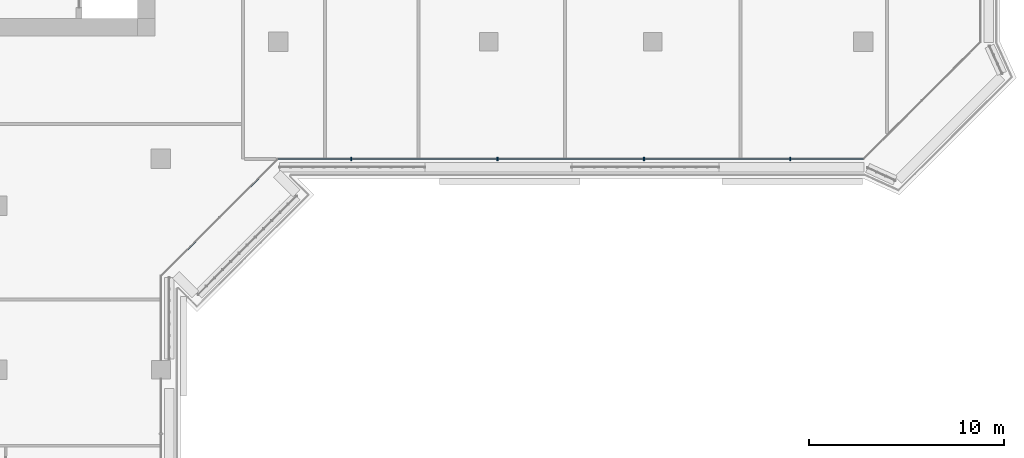
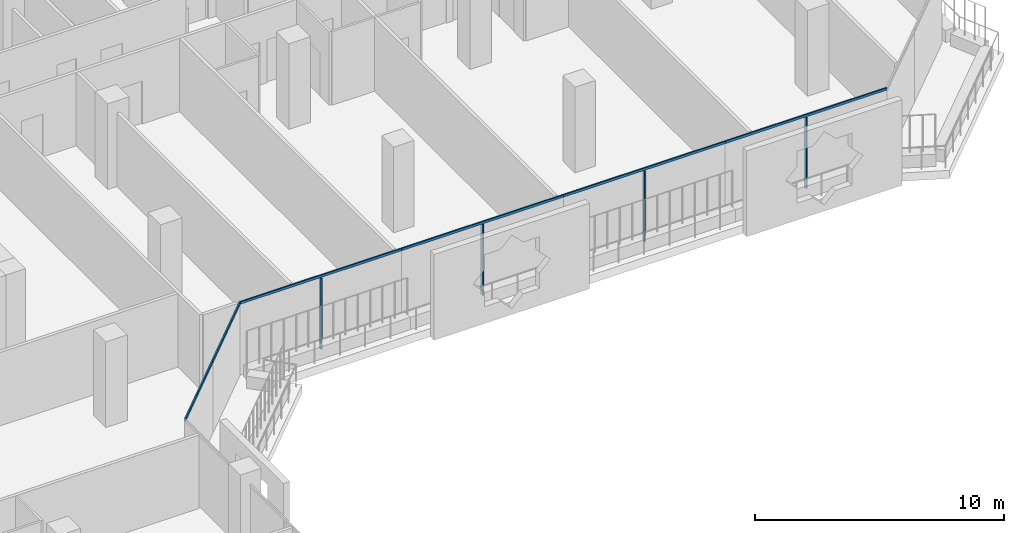
# One storey, part 3 of 22: 10 members, 2 elements without a shape of their own.
"""IFC4 building model written with IfcOpenShell, lengths in metres."""

from ifc_helpers import new_model, si_unit, direction, frame, origin, origin_2d, place, context, subcontext, project, spatial, rectangle, extrude, material, layer, layer_set, material_profile, profile_set, type_object, element, aggregate, save


model = new_model("IFC4")

# Units and contexts
model_context = context("Model", 3, precision=1e-05, world=origin(), true_north=direction((0.0, 1.0)))
body_context = subcontext(model_context, "Body", "Model", "MODEL_VIEW")
ifc_project = project(units=[si_unit("LENGTHUNIT", "METRE"), si_unit("AREAUNIT", "SQUARE_METRE"), si_unit("VOLUMEUNIT", "CUBIC_METRE"), si_unit("PLANEANGLEUNIT", "RADIAN"), si_unit("MASSUNIT", "GRAM", prefix="KILO")], contexts=[model_context])

# Site, building, storey
site_placement = place(None, origin())
site = spatial("IfcSite", under=ifc_project, at=site_placement, CompositionType="ELEMENT")
building_placement = place(site_placement, origin())
building = spatial("IfcBuilding", under=site, at=building_placement, Name="Kawkab Arch Medical Tower", CompositionType="ELEMENT")
storey_placement = place(building_placement, frame((0.0, 0.0, 187.800048828125)))
storey = spatial("IfcBuildingStorey", under=building, at=storey_placement, Name="L43", CompositionType="ELEMENT", Elevation=187.800048828125)

# Curtain wall, members
ifc_material_1 = material(Name="Bronze anodised aluminium curtain wall frame", Category="aluminium")
ifc_layer_1 = layer(ifc_material_1, 0.159912109375)
ifc_layer_set_1 = layer_set([ifc_layer_1], Name="Bronze anodised aluminium curtain wall frame")
curtain_wall_type_1 = type_object("IfcCurtainWallType", Name="CW1 ward curtain wall", PredefinedType="NOTDEFINED", material=ifc_layer_set_1)
placement = place(storey_placement, origin())
curtain_wall_1 = element("IfcCurtainWall", 1, at=placement, inside=storey, type_object=curtain_wall_type_1, Name="CW1 Ward curtain wall R07", PredefinedType="NOTDEFINED")
ifc_material_2 = material(Name="Bronze anodised aluminium curtain wall frame", Category="aluminium")
ifc_material_profile_1 = material_profile(ifc_material_2, rectangle(XDim=0.179931640625, YDim=0.06005859375, at=origin_2d()), Name="AL 60x180")
ifc_profile_set_1 = profile_set([ifc_material_profile_1], Name="Bronze anodised aluminium curtain wall frame")
member_type_1 = type_object("IfcMemberType", Name="CW1 mullion 60 x 180", PredefinedType="MULLION", material=ifc_profile_set_1)
member_1_placement = place(storey_placement, frame((34.949951171875, -31.199951171875, 0.0), z_axis=(0.0, 0.0, 1.0), x_axis=(0.0, 1.0, 0.0)))
member_1 = element("IfcMember", 2, at=member_1_placement, type_object=member_type_1, Name="CW1 mullion 1.1", PredefinedType="MULLION", context=body_context, shape_type="SweptSolid", body=[
    extrude(rectangle(XDim=0.179931640625, YDim=0.06005859375, at=origin_2d()), origin(), (0.0, 0.0, 1.0), 3.47998046875),
])
member_2_placement = place(storey_placement, frame((42.449951171875, -31.199951171875, 0.0), z_axis=(0.0, 0.0, 1.0), x_axis=(0.0, 1.0, 0.0)))
member_2 = element("IfcMember", 3, at=member_2_placement, type_object=member_type_1, Name="CW1 mullion 2.1", PredefinedType="MULLION", context=body_context, shape_type="SweptSolid", body=[
    extrude(rectangle(XDim=0.179931640625, YDim=0.06005859375, at=origin_2d()), origin(), (0.0, 0.0, 1.0), 3.47998046875),
])
member_3_placement = place(storey_placement, frame((49.949951171875, -31.199951171875, 0.0), z_axis=(0.0, 0.0, 1.0), x_axis=(0.0, 1.0, 0.0)))
member_3 = element("IfcMember", 4, at=member_3_placement, type_object=member_type_1, Name="CW1 mullion 3.1", PredefinedType="MULLION", context=body_context, shape_type="SweptSolid", body=[
    extrude(rectangle(XDim=0.179931640625, YDim=0.06005859375, at=origin_2d()), origin(), (0.0, 0.0, 1.0), 3.47998046875),
])
member_4_placement = place(storey_placement, frame((57.449951171875, -31.199951171875, 0.0), z_axis=(0.0, 0.0, 1.0), x_axis=(0.0, 1.0, 0.0)))
member_4 = element("IfcMember", 5, at=member_4_placement, type_object=member_type_1, Name="CW1 mullion 4.1", PredefinedType="MULLION", context=body_context, shape_type="SweptSolid", body=[
    extrude(rectangle(XDim=0.179931640625, YDim=0.06005859375, at=origin_2d()), origin(), (0.0, 0.0, 1.0), 3.47998046875),
])
ifc_material_3 = material(Name="Bronze anodised aluminium curtain wall frame", Category="aluminium")
ifc_material_profile_2 = material_profile(ifc_material_3, rectangle(XDim=0.06005859375, YDim=0.1201171875, at=origin_2d()), Name="AL 60x120")
ifc_profile_set_2 = profile_set([ifc_material_profile_2], Name="Bronze anodised aluminium curtain wall frame")
member_type_2 = type_object("IfcMemberType", Name="CW1 transom 120 x 60", PredefinedType="USERDEFINED", material=ifc_profile_set_2)
member_5_placement = place(storey_placement, frame((31.199951171875, -31.199951171875, 3.5400390625), z_axis=(1.0, 0.0, 0.0), x_axis=(0.0, 1.0, 0.0)))
member_5 = element("IfcMember", 6, at=member_5_placement, type_object=member_type_2, Name="CW1 transom 1", ObjectType="TRANSOM", PredefinedType="USERDEFINED", context=body_context, shape_type="SweptSolid", body=[
    extrude(rectangle(XDim=0.06005859375, YDim=0.1201171875, at=origin_2d()), origin(), (0.0, 0.0, 1.0), 7.5),
])
member_6_placement = place(storey_placement, frame((38.699951171875, -31.199951171875, 3.5400390625), z_axis=(1.0, 0.0, 0.0), x_axis=(0.0, 1.0, 0.0)))
member_6 = element("IfcMember", 7, at=member_6_placement, type_object=member_type_2, Name="CW1 transom 2", ObjectType="TRANSOM", PredefinedType="USERDEFINED", context=body_context, shape_type="SweptSolid", body=[
    extrude(rectangle(XDim=0.06005859375, YDim=0.1201171875, at=origin_2d()), origin(), (0.0, 0.0, 1.0), 7.5),
])
member_7_placement = place(storey_placement, frame((46.199951171875, -31.199951171875, 3.5400390625), z_axis=(1.0, 0.0, 0.0), x_axis=(0.0, 1.0, 0.0)))
member_7 = element("IfcMember", 8, at=member_7_placement, type_object=member_type_2, Name="CW1 transom 3", ObjectType="TRANSOM", PredefinedType="USERDEFINED", context=body_context, shape_type="SweptSolid", body=[
    extrude(rectangle(XDim=0.06005859375, YDim=0.1201171875, at=origin_2d()), origin(), (0.0, 0.0, 1.0), 7.5),
])
member_8_placement = place(storey_placement, frame((53.699951171875, -31.199951171875, 3.5400390625), z_axis=(1.0, 0.0, 0.0), x_axis=(0.0, 1.0, 0.0)))
member_8 = element("IfcMember", 9, at=member_8_placement, type_object=member_type_2, Name="CW1 transom 4", ObjectType="TRANSOM", PredefinedType="USERDEFINED", context=body_context, shape_type="SweptSolid", body=[
    extrude(rectangle(XDim=0.06005859375, YDim=0.1201171875, at=origin_2d()), origin(), (0.0, 0.0, 1.0), 7.5),
])
aggregate(curtain_wall_1, [member_5, member_1, member_6, member_2, member_7, member_3, member_8, member_4])

ifc_material_4 = material(Name="Bronze anodised aluminium curtain wall frame", Category="aluminium")
ifc_layer_2 = layer(ifc_material_4, 0.159912109375)
ifc_layer_set_2 = layer_set([ifc_layer_2], Name="Bronze anodised aluminium curtain wall frame")
curtain_wall_type_2 = type_object("IfcCurtainWallType", Name="CW2 chamfer curtain wall", PredefinedType="NOTDEFINED", material=ifc_layer_set_2)
curtain_wall_2 = element("IfcCurtainWall", 10, at=placement, inside=storey, type_object=curtain_wall_type_2, Name="CW2 Chamfer curtain wall R06", PredefinedType="NOTDEFINED")
ifc_material_5 = material(Name="Bronze anodised aluminium curtain wall frame", Category="aluminium")
ifc_material_profile_3 = material_profile(ifc_material_5, rectangle(XDim=0.06005859375, YDim=0.139892578125, at=origin_2d()), Name="AL 60x140")
ifc_profile_set_3 = profile_set([ifc_material_profile_3], Name="Bronze anodised aluminium curtain wall frame")
member_type_3 = type_object("IfcMemberType", Name="CW2 transom 140 x 60", PredefinedType="USERDEFINED", material=ifc_profile_set_3)
member_9_placement = place(storey_placement, frame((25.199951171875, -37.199951171875, 3.530029296875), z_axis=(0.707106781187, 0.707106781187, 0.0), x_axis=(-0.707106781187, 0.707106781187, 0.0)))
member_9 = element("IfcMember", 11, at=member_9_placement, type_object=member_type_3, Name="CW2 transom 1", ObjectType="TRANSOM", PredefinedType="USERDEFINED", context=body_context, shape_type="SweptSolid", body=[
    extrude(rectangle(XDim=0.06005859375, YDim=0.139892578125, at=origin_2d()), origin(), (0.0, 0.0, 1.0), 4.24267578125),
])
member_10_placement = place(storey_placement, frame((28.199951171875, -34.199951171875, 3.530029296875), z_axis=(0.707106781187, 0.707106781187, 0.0), x_axis=(-0.707106781187, 0.707106781187, 0.0)))
member_10 = element("IfcMember", 12, at=member_10_placement, type_object=member_type_3, Name="CW2 transom 2", ObjectType="TRANSOM", PredefinedType="USERDEFINED", context=body_context, shape_type="SweptSolid", body=[
    extrude(rectangle(XDim=0.06005859375, YDim=0.139892578125, at=origin_2d()), origin(), (0.0, 0.0, 1.0), 4.24267578125),
])
aggregate(curtain_wall_2, [member_9, member_10])

save(model, "model.ifc")
